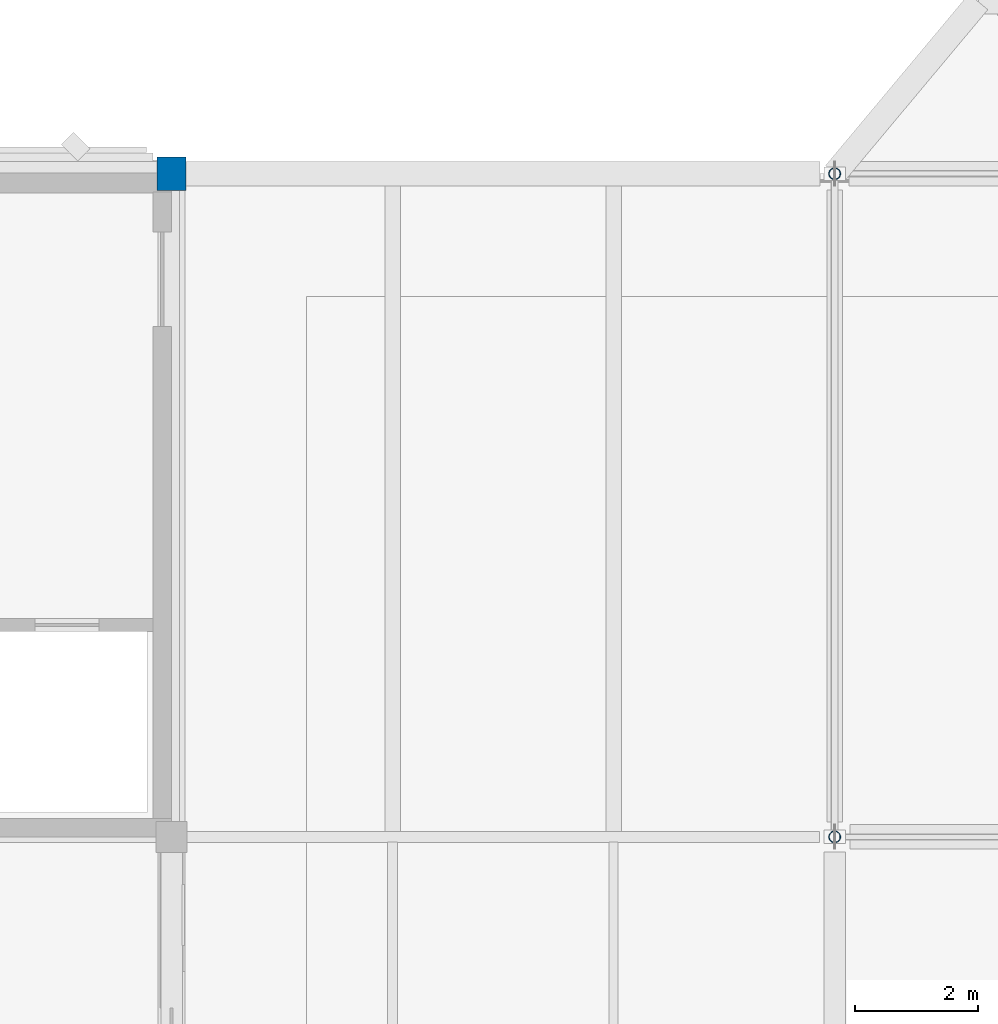
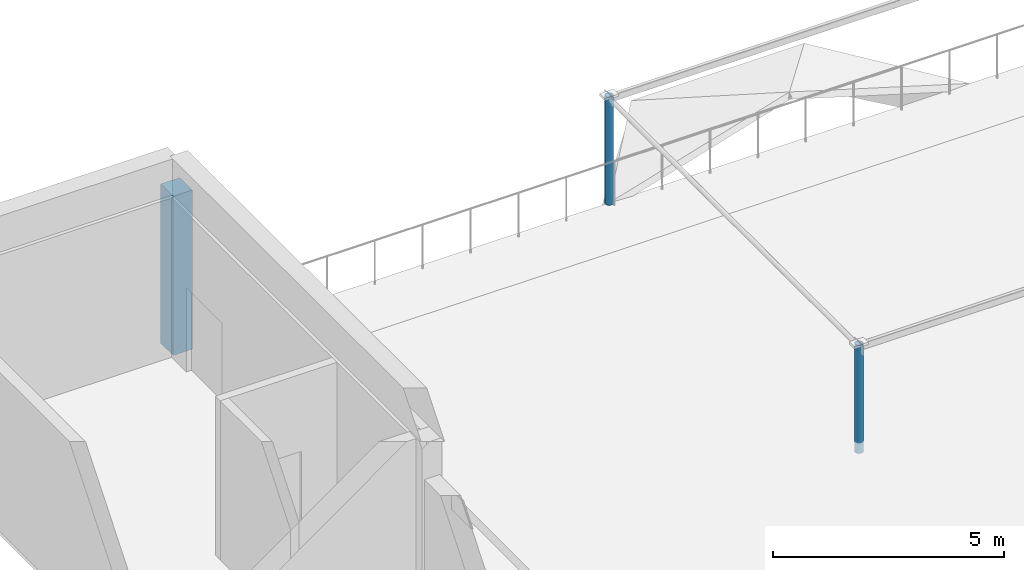
# One storey, part 5 of 33: 3 columns.
"""IFC4 building model written with IfcOpenShell, lengths in metres."""

from ifc_helpers import new_model, si_unit, direction, frame, origin, origin_2d, place, context, subcontext, project, spatial, rectangle, hollow_circle, extrude, material, material_profile, profile_set, type_object, element, save


model = new_model("IFC4")

# Units and contexts
model_context = context("Model", 3, precision=1e-05, world=origin(), true_north=direction((0.0, 1.0)))
body_context = subcontext(model_context, "Body", "Model", "MODEL_VIEW")
ifc_project = project(units=[si_unit("LENGTHUNIT", "METRE"), si_unit("AREAUNIT", "SQUARE_METRE"), si_unit("VOLUMEUNIT", "CUBIC_METRE"), si_unit("PLANEANGLEUNIT", "RADIAN"), si_unit("MASSUNIT", "GRAM", prefix="KILO")], contexts=[model_context])

# Site, building, storey
site_placement = place(None, origin())
site = spatial("IfcSite", under=ifc_project, at=site_placement, CompositionType="ELEMENT")
building_placement = place(site_placement, origin())
building = spatial("IfcBuilding", under=site, at=building_placement, Name="Lusvemor Sports Hall", CompositionType="ELEMENT")
storey_placement = place(building_placement, frame((0.0, 0.0, 19.199951171875)))
storey = spatial("IfcBuildingStorey", under=building, at=storey_placement, Name="L04", CompositionType="ELEMENT", Elevation=19.199951171875)

# Columns
ifc_material_1 = material(Name="Steel S355", Category="steel")
ifc_material_profile_1 = material_profile(ifc_material_1, hollow_circle(Radius=0.096923828125, WallThickness=0.010009765625, at=origin_2d()), Name="CHS193.7x10.0")
ifc_profile_set_1 = profile_set([ifc_material_profile_1], Name="Steel S355")
column_type_1 = type_object("IfcColumnType", Name="COL_STAIR_POST", PredefinedType="COLUMN", material=ifc_profile_set_1)
for number, where, z_axis, x_axis, name in (
    (1, (75.60009765625, 104.39990234375, 0.0), (0.0, 0.0, 1.0), (1.0, 0.0, 0.0), "Garden Pergola Column PERG-L04-B-1A"),
    (2, (75.60009765625, 115.199951171875, 0.0), (0.0, 0.0, 1.0), (1.0, 0.0, 0.0), "Garden Pergola Column PERG-L04-B-2A"),
):
    element("IfcColumn", number, at=place(storey_placement, frame(where, z_axis=z_axis, x_axis=x_axis)), inside=storey, type_object=column_type_1, Name=name, PredefinedType="COLUMN", context=body_context, shape_type="SweptSolid", body=[
        extrude(hollow_circle(Radius=0.096923828125, WallThickness=0.010009765625, at=origin_2d()), origin(), (0.0, 0.0, 1.0), 2.85009765625),
    ])
ifc_material_2 = material(Name="Concrete C40/50", Category="concrete")
ifc_material_profile_2 = material_profile(ifc_material_2, rectangle(XDim=0.47998046875, YDim=0.5400390625, at=origin_2d()), Name="RC480x540")
ifc_profile_set_2 = profile_set([ifc_material_profile_2], Name="Concrete C40/50")
column_type_2 = type_object("IfcColumnType", Name="COL_UPPER_E", PredefinedType="COLUMN", material=ifc_profile_set_2)
column_placement = place(storey_placement, frame((64.800048828125, 115.199951171875, 0.0), z_axis=(0.0, 0.0, 1.0), x_axis=(1.0, 0.0, 0.0)))
element("IfcColumn", 3, at=column_placement, inside=storey, type_object=column_type_2, Name="Column 7/Q (L04)", PredefinedType="COLUMN", context=body_context, shape_type="SweptSolid", body=[
    extrude(rectangle(XDim=0.47998046875, YDim=0.5400390625, at=origin_2d()), origin(), (0.0, 0.0, 1.0), 4.199951171875),
])

save(model, "model.ifc")
